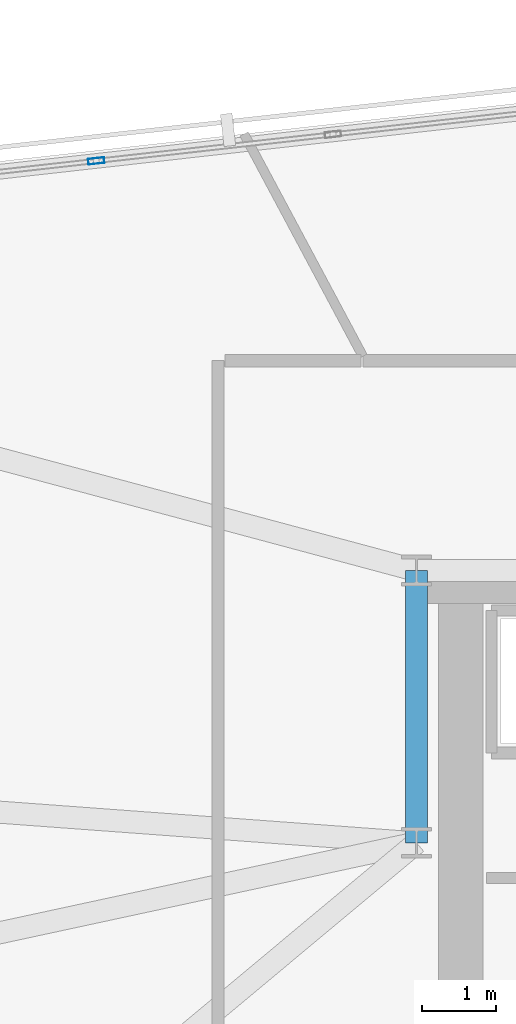
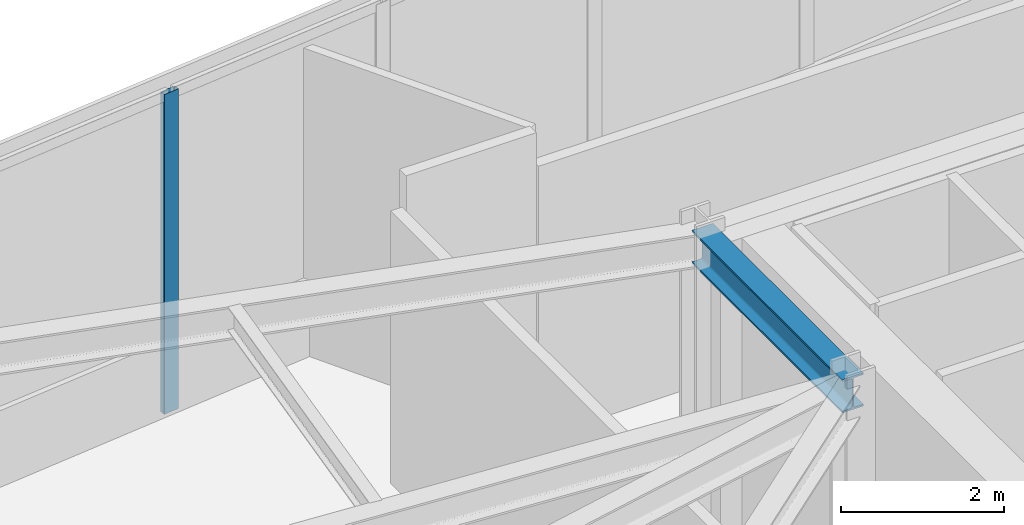
# One storey, part 3 of 12: 1 beam, 1 member, 1 element without a shape of its own.
"""IFC4 building model written with IfcOpenShell, lengths in metres."""

from ifc_helpers import new_model, si_unit, direction, frame, origin, origin_2d, place, context, subcontext, project, spatial, hollow_rectangle, i_section, extrude, material, material_profile, profile_set, type_object, element, aggregate, save


model = new_model("IFC4")

# Units and contexts
model_context = context("Model", 3, precision=1e-05, world=origin(), true_north=direction((0.0, 1.0)))
body_context = subcontext(model_context, "Body", "Model", "MODEL_VIEW")
ifc_project = project(units=[si_unit("LENGTHUNIT", "METRE"), si_unit("AREAUNIT", "SQUARE_METRE"), si_unit("VOLUMEUNIT", "CUBIC_METRE"), si_unit("PLANEANGLEUNIT", "RADIAN"), si_unit("MASSUNIT", "GRAM", prefix="KILO")], contexts=[model_context])

# Site, building, storey
site_placement = place(None, origin())
site = spatial("IfcSite", under=ifc_project, at=site_placement, CompositionType="ELEMENT")
building_placement = place(site_placement, origin())
building = spatial("IfcBuilding", under=site, at=building_placement, Name="Narakoshi Arena Tower", CompositionType="ELEMENT")
storey_placement = place(building_placement, frame((0.0, 0.0, 298.179931640625)))
storey = spatial("IfcBuildingStorey", under=building, at=storey_placement, Name="L81", CompositionType="ELEMENT", Elevation=298.179931640625)

# Beam
ifc_material_1 = material(Name="Structural steel S355J2", Category="steel")
ifc_material_profile_1 = material_profile(ifc_material_1, i_section(OverallWidth=0.300048828125, OverallDepth=0.5, WebThickness=0.014404296875, FlangeThickness=0.028076171875, FilletRadius=0.027099609375, at=origin_2d()), Name="HE500B")
ifc_profile_set_1 = profile_set([ifc_material_profile_1], Name="Structural steel S355J2")
beam_type = type_object("IfcBeamType", Name="BM-PRI-500", PredefinedType="BEAM", material=ifc_profile_set_1)
beam_placement = place(storey_placement, frame((72.0, 52.800048828125, 4.35009765625), z_axis=(0.0, 1.0, 0.0), x_axis=(-1.0, 0.0, 0.0)))
element("IfcBeam", 1, at=beam_placement, inside=storey, type_object=beam_type, Name="L81 Core Perimeter Frame Beam CC4-CC5", PredefinedType="BEAM", context=body_context, shape_type="SweptSolid", body=[
    extrude(i_section(OverallWidth=0.300048828125, OverallDepth=0.5, WebThickness=0.014404296875, FlangeThickness=0.028076171875, FilletRadius=0.027099609375, at=origin_2d()), origin(), (0.0, 0.0, 1.0), 3.699951171875),
])

# Curtain wall, member
ifc_material_2 = material(Name="Anodised bronze aluminium 6063-T6", Category="aluminium")
curtain_wall_type = type_object("IfcCurtainWallType", Name="CW-CRN-FACET", PredefinedType="NOTDEFINED", material=ifc_material_2)
curtain_wall_placement = place(storey_placement, origin())
curtain_wall = element("IfcCurtainWall", 2, at=curtain_wall_placement, inside=storey, type_object=curtain_wall_type, Name="L81 Slanted-Cut Crown Curtain Wall 5-2", PredefinedType="NOTDEFINED")
ifc_material_profile_2 = material_profile(ifc_material_2, hollow_rectangle(XDim=0.080078125, YDim=0.219970703125, WallThickness=0.0048828125, OuterFilletRadius=0.006103515625, at=origin_2d()), Name="MUL220x80x5")
ifc_profile_set_2 = profile_set([ifc_material_profile_2], Name="Anodised bronze aluminium 6063-T6")
member_type = type_object("IfcMemberType", Name="MEM-MUL-220", PredefinedType="MULLION", material=ifc_profile_set_2)
member_placement = place(storey_placement, frame((67.648193359375, 62.06494140625, 0.0), z_axis=(0.0, 0.0, 1.0), x_axis=(-0.11139525537, 0.993776180576, 0.0)))
member = element("IfcMember", 3, at=member_placement, type_object=member_type, Name="CW-06 mullion 4", PredefinedType="MULLION", context=body_context, shape_type="SweptSolid", body=[
    extrude(hollow_rectangle(XDim=0.080078125, YDim=0.219970703125, WallThickness=0.0048828125, OuterFilletRadius=0.006103515625, at=origin_2d()), origin(), (0.0, 0.0, 1.0), 4.800048828125),
])
aggregate(curtain_wall, [member])

save(model, "model.ifc")
